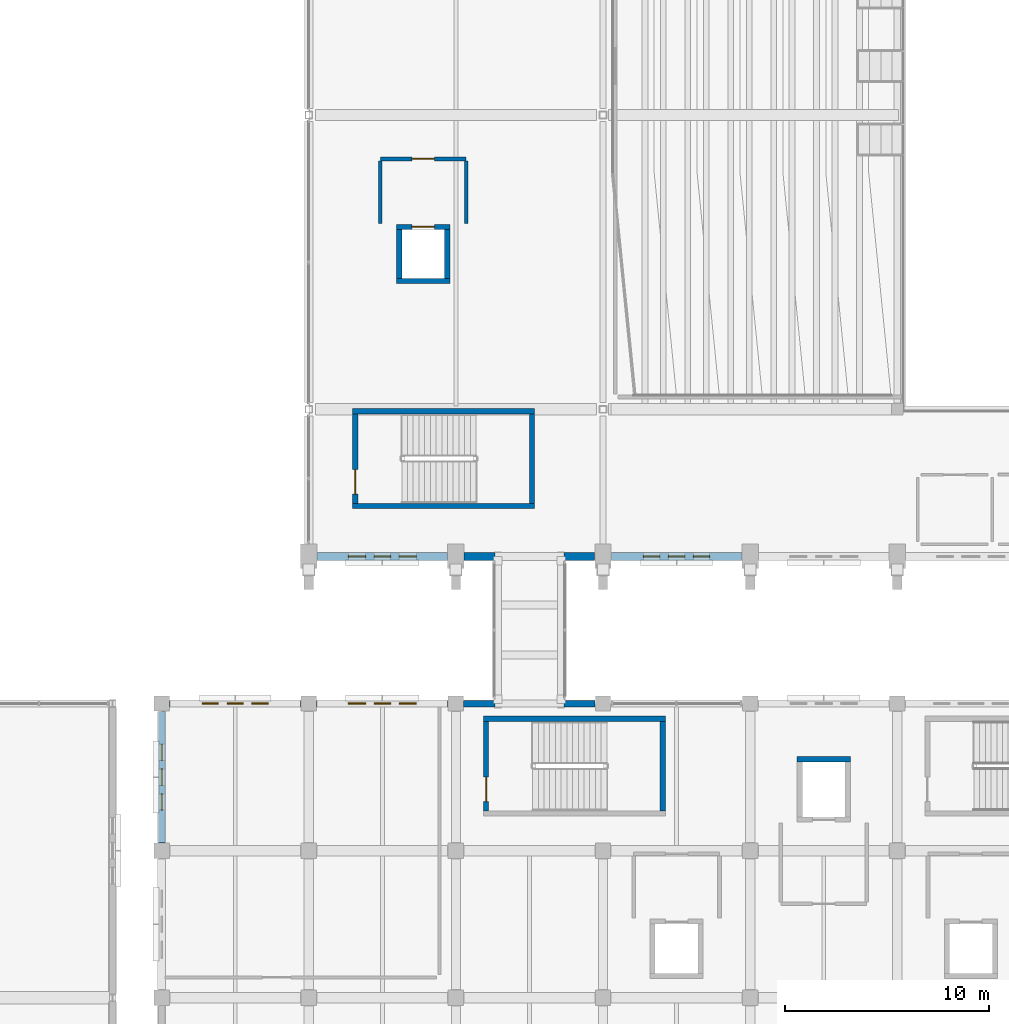
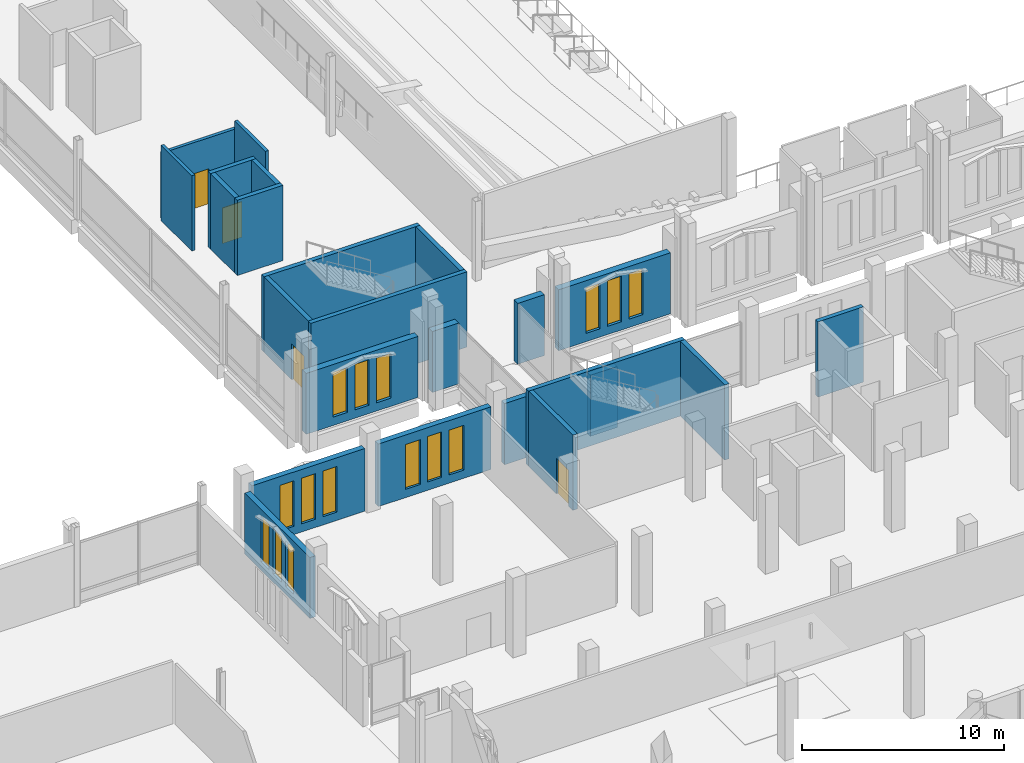
# One storey, part 142 of 193: 24 walls, 15 windows, 4 doors, 19 openings.
"""IFC4 building model written with IfcOpenShell, lengths in metres."""

from ifc_helpers import new_model, si_unit, direction, frame, frame_2d, origin, place, context, subcontext, project, spatial, rectangle, extrude, material, layer, layer_set, type_object, element, fill, save


model = new_model("IFC4")

# Units and contexts
model_context = context("Model", 3, precision=1e-05, world=origin(), true_north=direction((0.0, 1.0)))
body_context = subcontext(model_context, "Body", "Model", "MODEL_VIEW")
ifc_project = project(units=[si_unit("LENGTHUNIT", "METRE"), si_unit("AREAUNIT", "SQUARE_METRE"), si_unit("VOLUMEUNIT", "CUBIC_METRE"), si_unit("PLANEANGLEUNIT", "RADIAN"), si_unit("MASSUNIT", "GRAM", prefix="KILO")], contexts=[model_context])

# Site, building, storey
site_placement = place(None, origin())
site = spatial("IfcSite", under=ifc_project, at=site_placement, CompositionType="ELEMENT")
building_placement = place(site_placement, origin())
building = spatial("IfcBuilding", under=site, at=building_placement, Name="Cendralis Lancet Convention Centre", CompositionType="ELEMENT")
storey_placement = place(building_placement, frame((0.0, 0.0, 10.199951171875)))
storey = spatial("IfcBuildingStorey", under=building, at=storey_placement, Name="L02", CompositionType="ELEMENT", Elevation=10.199951171875)

# Wall, openings, windows
ifc_material_1 = material(Name="Buff sandstone ashlar and Concrete G40 (C40/50)", Category="masonry")
ifc_layer_1 = layer(ifc_material_1, 0.320068359375, Name="Buff sandstone ashlar and Concrete G40 (C40/50)")
ifc_layer_set_1 = layer_set([ifc_layer_1], Name="Buff sandstone ashlar and Concrete G40 (C40/50)")
wall_type_1 = type_object("IfcWallType", Name="ARC-EW-W320", PredefinedType="STANDARD", material=ifc_layer_set_1)
wall_1_placement = place(storey_placement, frame((132.383056640625, 36.0, 0.0), z_axis=(0.0, 0.0, 1.0), x_axis=(1.0, 0.0, 0.0)))
wall_1 = element("IfcWall", 1, at=wall_1_placement, inside=storey, type_object=wall_type_1, Name="L02 V5 Exterior Wall EW-06 #0283", PredefinedType="STANDARD", context=body_context, shape_type="SweptSolid", body=[
    extrude(rectangle(XDim=6.433837890625, YDim=0.320068359375, at=frame_2d((3.216796875, 0.0))), origin(), (0.0, 0.0, 1.0), 3.775146484375),
])
opening_1_placement = place(wall_1_placement, frame((1.596923828125, 0.0, 0.5)))
opening_1 = element("IfcOpeningElement", 2, at=opening_1_placement, cuts=wall_1, Name="Opening WN-07", PredefinedType="OPENING", context=body_context, shape_type="SweptSolid", body=[
    extrude(rectangle(XDim=0.800048828125, YDim=2.75, at=frame_2d((0.39990234375, 1.375))), frame((0.0, 0.169921875, 0.0), z_axis=(0.0, -1.0, 0.0), x_axis=(1.0, 0.0, 0.0)), (0.0, 0.0, 1.0), 0.340087890625),
])
opening_2_placement = place(wall_1_placement, frame((2.81689453125, 0.0, 0.5)))
opening_2 = element("IfcOpeningElement", 3, at=opening_2_placement, cuts=wall_1, Name="Opening WN-07", PredefinedType="OPENING", context=body_context, shape_type="SweptSolid", body=[
    extrude(rectangle(XDim=0.800048828125, YDim=2.75, at=frame_2d((0.39990234375, 1.375))), frame((0.0, 0.169921875, 0.0), z_axis=(0.0, -1.0, 0.0), x_axis=(1.0, 0.0, 0.0)), (0.0, 0.0, 1.0), 0.340087890625),
])
opening_3_placement = place(wall_1_placement, frame((4.037109375, 0.0, 0.5)))
opening_3 = element("IfcOpeningElement", 4, at=opening_3_placement, cuts=wall_1, Name="Opening WN-07", PredefinedType="OPENING", context=body_context, shape_type="SweptSolid", body=[
    extrude(rectangle(XDim=0.800048828125, YDim=2.75, at=frame_2d((0.39990234375, 1.375))), frame((0.0, 0.169921875, 0.0), z_axis=(0.0, -1.0, 0.0), x_axis=(1.0, 0.0, 0.0)), (0.0, 0.0, 1.0), 0.340087890625),
])
ifc_material_2 = material(Name="Double-glazed low-E solar-control glass", Category="glass")
window_type_1 = type_object("IfcWindowType", Name="ARC-WN-LW07", PartitioningType="SINGLE_PANEL", PredefinedType="WINDOW", material=ifc_material_2)
window_1_placement = place(opening_1_placement, origin())
window_1 = element("IfcWindow", 5, at=window_1_placement, inside=storey, type_object=window_type_1, Name="Gothic Lancet Window WN-07 #0544", OverallHeight=2.75, OverallWidth=0.800048828125, PartitioningType="SINGLE_PANEL", PredefinedType="WINDOW", context=body_context, shape_type="SweptSolid", body=[
    extrude(rectangle(XDim=0.800048828125, YDim=2.75, at=frame_2d((0.39990234375, 1.375))), frame((0.0, 0.030029296875, 0.0), z_axis=(0.0, -1.0, 0.0), x_axis=(1.0, 0.0, 0.0)), (0.0, 0.0, 1.0), 0.06005859375),
])
fill(opening_1, window_1)
window_2_placement = place(opening_2_placement, origin())
window_2 = element("IfcWindow", 6, at=window_2_placement, inside=storey, type_object=window_type_1, Name="Gothic Lancet Window WN-07 #0545", OverallHeight=2.75, OverallWidth=0.800048828125, PartitioningType="SINGLE_PANEL", PredefinedType="WINDOW", context=body_context, shape_type="SweptSolid", body=[
    extrude(rectangle(XDim=0.800048828125, YDim=2.75, at=frame_2d((0.39990234375, 1.375))), frame((0.0, 0.030029296875, 0.0), z_axis=(0.0, -1.0, 0.0), x_axis=(1.0, 0.0, 0.0)), (0.0, 0.0, 1.0), 0.06005859375),
])
fill(opening_2, window_2)
window_3_placement = place(opening_3_placement, origin())
window_3 = element("IfcWindow", 7, at=window_3_placement, inside=storey, type_object=window_type_1, Name="Gothic Lancet Window WN-07 #0546", OverallHeight=2.75, OverallWidth=0.800048828125, PartitioningType="SINGLE_PANEL", PredefinedType="WINDOW", context=body_context, shape_type="SweptSolid", body=[
    extrude(rectangle(XDim=0.800048828125, YDim=2.75, at=frame_2d((0.39990234375, 1.375))), frame((0.0, 0.030029296875, 0.0), z_axis=(0.0, -1.0, 0.0), x_axis=(1.0, 0.0, 0.0)), (0.0, 0.0, 1.0), 0.06005859375),
])
fill(opening_3, window_3)

wall_2_placement = place(storey_placement, frame((139.5830078125, 36.0, 0.0), z_axis=(0.0, 0.0, 1.0), x_axis=(1.0, 0.0, 0.0)))
wall_2 = element("IfcWall", 8, at=wall_2_placement, inside=storey, type_object=wall_type_1, Name="L02 V5 Exterior Wall EW-06 #0284", PredefinedType="STANDARD", context=body_context, shape_type="SweptSolid", body=[
    extrude(rectangle(XDim=6.43408203125, YDim=0.320068359375, at=frame_2d((3.217041015625, 0.0))), origin(), (0.0, 0.0, 1.0), 3.775146484375),
])
opening_4_placement = place(wall_2_placement, frame((1.556884765625, 0.0, 0.5)))
opening_4 = element("IfcOpeningElement", 9, at=opening_4_placement, cuts=wall_2, Name="Opening WN-15", PredefinedType="OPENING", context=body_context, shape_type="SweptSolid", body=[
    extrude(rectangle(XDim=0.840087890625, YDim=2.699951171875, at=frame_2d((0.419921875, 1.35009765625))), frame((0.0, 0.169921875, 0.0), z_axis=(0.0, -1.0, 0.0), x_axis=(1.0, 0.0, 0.0)), (0.0, 0.0, 1.0), 0.340087890625),
])
opening_5_placement = place(wall_2_placement, frame((2.81689453125, 0.0, 0.5)))
opening_5 = element("IfcOpeningElement", 10, at=opening_5_placement, cuts=wall_2, Name="Opening WN-07", PredefinedType="OPENING", context=body_context, shape_type="SweptSolid", body=[
    extrude(rectangle(XDim=0.800048828125, YDim=2.75, at=frame_2d((0.39990234375, 1.375))), frame((0.0, 0.169921875, 0.0), z_axis=(0.0, -1.0, 0.0), x_axis=(1.0, 0.0, 0.0)), (0.0, 0.0, 1.0), 0.340087890625),
])
opening_6_placement = place(wall_2_placement, frame((4.037109375, 0.0, 0.5)))
opening_6 = element("IfcOpeningElement", 11, at=opening_6_placement, cuts=wall_2, Name="Opening WN-15", PredefinedType="OPENING", context=body_context, shape_type="SweptSolid", body=[
    extrude(rectangle(XDim=0.840087890625, YDim=2.699951171875, at=frame_2d((0.419921875, 1.35009765625))), frame((0.0, 0.169921875, 0.0), z_axis=(0.0, -1.0, 0.0), x_axis=(1.0, 0.0, 0.0)), (0.0, 0.0, 1.0), 0.340087890625),
])
window_4_placement = place(opening_5_placement, origin())
window_4 = element("IfcWindow", 12, at=window_4_placement, inside=storey, type_object=window_type_1, Name="Gothic Lancet Window WN-07 #0548", OverallHeight=2.75, OverallWidth=0.800048828125, PartitioningType="SINGLE_PANEL", PredefinedType="WINDOW", context=body_context, shape_type="SweptSolid", body=[
    extrude(rectangle(XDim=0.800048828125, YDim=2.75, at=frame_2d((0.39990234375, 1.375))), frame((0.0, 0.030029296875, 0.0), z_axis=(0.0, -1.0, 0.0), x_axis=(1.0, 0.0, 0.0)), (0.0, 0.0, 1.0), 0.06005859375),
])
fill(opening_5, window_4)
window_type_2 = type_object("IfcWindowType", Name="ARC-WN-LW15", PartitioningType="SINGLE_PANEL", PredefinedType="WINDOW", material=ifc_material_2)
window_5_placement = place(opening_4_placement, origin())
window_5 = element("IfcWindow", 13, at=window_5_placement, inside=storey, type_object=window_type_2, Name="Gothic Lancet Window WN-15 #0547", OverallHeight=2.699951171875, OverallWidth=0.840087890625, PartitioningType="SINGLE_PANEL", PredefinedType="WINDOW", context=body_context, shape_type="SweptSolid", body=[
    extrude(rectangle(XDim=0.840087890625, YDim=2.699951171875, at=frame_2d((0.419921875, 1.35009765625))), frame((0.0, 0.030029296875, 0.0), z_axis=(0.0, -1.0, 0.0), x_axis=(1.0, 0.0, 0.0)), (0.0, 0.0, 1.0), 0.06005859375),
])
fill(opening_4, window_5)
window_6_placement = place(opening_6_placement, origin())
window_6 = element("IfcWindow", 14, at=window_6_placement, inside=storey, type_object=window_type_2, Name="Gothic Lancet Window WN-15 #0549", OverallHeight=2.699951171875, OverallWidth=0.840087890625, PartitioningType="SINGLE_PANEL", PredefinedType="WINDOW", context=body_context, shape_type="SweptSolid", body=[
    extrude(rectangle(XDim=0.840087890625, YDim=2.699951171875, at=frame_2d((0.419921875, 1.35009765625))), frame((0.0, 0.030029296875, 0.0), z_axis=(0.0, -1.0, 0.0), x_axis=(1.0, 0.0, 0.0)), (0.0, 0.0, 1.0), 0.06005859375),
])
fill(opening_6, window_6)

# Walls
for number, where, z_axis, x_axis, name in (
    (15, (146.782958984375, 36.0, 0.0), (0.0, 0.0, 1.0), (1.0, 0.0, 0.0), "L02 V5 Exterior Wall EW-06 #0285"),
    (16, (151.679931640625, 36.0, 0.0), (0.0, 0.0, 1.0), (1.0, 0.0, 0.0), "L02 V5 Exterior Wall EW-06 #0286"),
):
    element("IfcWall", number, at=place(storey_placement, frame(where, z_axis=z_axis, x_axis=x_axis)), inside=storey, type_object=wall_type_1, Name=name, PredefinedType="STANDARD", context=body_context, shape_type="SweptSolid", body=[
        extrude(rectangle(XDim=1.537109375, YDim=0.320068359375, at=frame_2d((0.7685546875, 0.0))), origin(), (0.0, 0.0, 1.0), 3.68505859375),
    ])

# Wall, openings, windows
wall_3_placement = place(storey_placement, frame((132.0, 29.18310546875, 0.0), z_axis=(0.0, 0.0, 1.0), x_axis=(0.0, 1.0, 0.0)))
wall_3 = element("IfcWall", 17, at=wall_3_placement, inside=storey, type_object=wall_type_1, Name="L02 V5 Exterior Wall EW-06 #0301", PredefinedType="STANDARD", context=body_context, shape_type="SweptSolid", body=[
    extrude(rectangle(XDim=6.433837890625, YDim=0.320068359375, at=frame_2d((3.216796875, 0.0))), origin(), (0.0, 0.0, 1.0), 3.675048828125),
])
opening_7_placement = place(wall_3_placement, frame((1.596923828125, 0.0, 0.5)))
opening_7 = element("IfcOpeningElement", 18, at=opening_7_placement, cuts=wall_3, Name="Opening WN-07", PredefinedType="OPENING", context=body_context, shape_type="SweptSolid", body=[
    extrude(rectangle(XDim=0.800048828125, YDim=2.75, at=frame_2d((0.39990234375, 1.375))), frame((0.0, 0.169921875, 0.0), z_axis=(0.0, -1.0, 0.0), x_axis=(1.0, 0.0, 0.0)), (0.0, 0.0, 1.0), 0.340087890625),
])
opening_8_placement = place(wall_3_placement, frame((2.81689453125, 0.0, 0.5)))
opening_8 = element("IfcOpeningElement", 19, at=opening_8_placement, cuts=wall_3, Name="Opening WN-07", PredefinedType="OPENING", context=body_context, shape_type="SweptSolid", body=[
    extrude(rectangle(XDim=0.800048828125, YDim=2.75, at=frame_2d((0.39990234375, 1.375))), frame((0.0, 0.169921875, 0.0), z_axis=(0.0, -1.0, 0.0), x_axis=(1.0, 0.0, 0.0)), (0.0, 0.0, 1.0), 0.340087890625),
])
opening_9_placement = place(wall_3_placement, frame((4.037109375, 0.0, 0.5)))
opening_9 = element("IfcOpeningElement", 20, at=opening_9_placement, cuts=wall_3, Name="Opening WN-07", PredefinedType="OPENING", context=body_context, shape_type="SweptSolid", body=[
    extrude(rectangle(XDim=0.800048828125, YDim=2.75, at=frame_2d((0.39990234375, 1.375))), frame((0.0, 0.169921875, 0.0), z_axis=(0.0, -1.0, 0.0), x_axis=(1.0, 0.0, 0.0)), (0.0, 0.0, 1.0), 0.340087890625),
])
window_7_placement = place(opening_7_placement, origin())
window_7 = element("IfcWindow", 21, at=window_7_placement, inside=storey, type_object=window_type_1, Name="Gothic Lancet Window WN-07 #0583", OverallHeight=2.75, OverallWidth=0.800048828125, PartitioningType="SINGLE_PANEL", PredefinedType="WINDOW", context=body_context, shape_type="SweptSolid", body=[
    extrude(rectangle(XDim=0.800048828125, YDim=2.75, at=frame_2d((0.39990234375, 1.375))), frame((0.0, 0.030029296875, 0.0), z_axis=(0.0, -1.0, 0.0), x_axis=(1.0, 0.0, 0.0)), (0.0, 0.0, 1.0), 0.06005859375),
])
fill(opening_7, window_7)
window_8_placement = place(opening_8_placement, origin())
window_8 = element("IfcWindow", 22, at=window_8_placement, inside=storey, type_object=window_type_1, Name="Gothic Lancet Window WN-07 #0584", OverallHeight=2.75, OverallWidth=0.800048828125, PartitioningType="SINGLE_PANEL", PredefinedType="WINDOW", context=body_context, shape_type="SweptSolid", body=[
    extrude(rectangle(XDim=0.800048828125, YDim=2.75, at=frame_2d((0.39990234375, 1.375))), frame((0.0, 0.030029296875, 0.0), z_axis=(0.0, -1.0, 0.0), x_axis=(1.0, 0.0, 0.0)), (0.0, 0.0, 1.0), 0.06005859375),
])
fill(opening_8, window_8)
window_9_placement = place(opening_9_placement, origin())
window_9 = element("IfcWindow", 23, at=window_9_placement, inside=storey, type_object=window_type_1, Name="Gothic Lancet Window WN-07 #0585", OverallHeight=2.75, OverallWidth=0.800048828125, PartitioningType="SINGLE_PANEL", PredefinedType="WINDOW", context=body_context, shape_type="SweptSolid", body=[
    extrude(rectangle(XDim=0.800048828125, YDim=2.75, at=frame_2d((0.39990234375, 1.375))), frame((0.0, 0.030029296875, 0.0), z_axis=(0.0, -1.0, 0.0), x_axis=(1.0, 0.0, 0.0)), (0.0, 0.0, 1.0), 0.06005859375),
])
fill(opening_9, window_9)

ifc_layer_2 = layer(ifc_material_1, 0.3798828125, Name="Buff sandstone ashlar and Concrete G40 (C40/50)")
ifc_layer_set_2 = layer_set([ifc_layer_2], Name="Buff sandstone ashlar and Concrete G40 (C40/50)")
wall_type_2 = type_object("IfcWallType", Name="ARC-EW-W380", PredefinedType="STANDARD", material=ifc_layer_set_2)
wall_4_placement = place(storey_placement, frame((145.991943359375, 43.199951171875, 0.0), z_axis=(0.0, 0.0, 1.0), x_axis=(-1.0, 0.0, 0.0)))
wall_4 = element("IfcWall", 24, at=wall_4_placement, inside=storey, type_object=wall_type_2, Name="L02 V2 Exterior Wall EW-03 #0108", PredefinedType="STANDARD", context=body_context, shape_type="SweptSolid", body=[
    extrude(rectangle(XDim=6.384033203125, YDim=0.3798828125, at=frame_2d((3.19189453125, 0.0))), origin(), (0.0, 0.0, 1.0), 3.675048828125),
])
opening_10_placement = place(wall_4_placement, frame((1.531982421875, 0.0, 0.5)))
opening_10 = element("IfcOpeningElement", 25, at=opening_10_placement, cuts=wall_4, Name="Opening WN-15", PredefinedType="OPENING", context=body_context, shape_type="SweptSolid", body=[
    extrude(rectangle(XDim=0.840087890625, YDim=2.699951171875, at=frame_2d((0.419921875, 1.35009765625))), frame((0.0, 0.199951171875, 0.0), z_axis=(0.0, -1.0, 0.0), x_axis=(1.0, 0.0, 0.0)), (0.0, 0.0, 1.0), 0.39990234375),
])
opening_11_placement = place(wall_4_placement, frame((2.7919921875, 0.0, 0.5)))
opening_11 = element("IfcOpeningElement", 26, at=opening_11_placement, cuts=wall_4, Name="Opening WN-07", PredefinedType="OPENING", context=body_context, shape_type="SweptSolid", body=[
    extrude(rectangle(XDim=0.800048828125, YDim=2.75, at=frame_2d((0.39990234375, 1.375))), frame((0.0, 0.199951171875, 0.0), z_axis=(0.0, -1.0, 0.0), x_axis=(1.0, 0.0, 0.0)), (0.0, 0.0, 1.0), 0.39990234375),
])
opening_12_placement = place(wall_4_placement, frame((4.011962890625, 0.0, 0.5)))
opening_12 = element("IfcOpeningElement", 27, at=opening_12_placement, cuts=wall_4, Name="Opening WN-15", PredefinedType="OPENING", context=body_context, shape_type="SweptSolid", body=[
    extrude(rectangle(XDim=0.840087890625, YDim=2.699951171875, at=frame_2d((0.419921875, 1.35009765625))), frame((0.0, 0.199951171875, 0.0), z_axis=(0.0, -1.0, 0.0), x_axis=(1.0, 0.0, 0.0)), (0.0, 0.0, 1.0), 0.39990234375),
])
window_10_placement = place(opening_11_placement, origin())
window_10 = element("IfcWindow", 28, at=window_10_placement, inside=storey, type_object=window_type_1, Name="Gothic Lancet Window WN-07 #0202", OverallHeight=2.75, OverallWidth=0.800048828125, PartitioningType="SINGLE_PANEL", PredefinedType="WINDOW", context=body_context, shape_type="SweptSolid", body=[
    extrude(rectangle(XDim=0.800048828125, YDim=2.75, at=frame_2d((0.39990234375, 1.375))), frame((0.0, 0.030029296875, 0.0), z_axis=(0.0, -1.0, 0.0), x_axis=(1.0, 0.0, 0.0)), (0.0, 0.0, 1.0), 0.06005859375),
])
fill(opening_11, window_10)
window_11_placement = place(opening_10_placement, origin())
window_11 = element("IfcWindow", 29, at=window_11_placement, inside=storey, type_object=window_type_2, Name="Gothic Lancet Window WN-15 #0201", OverallHeight=2.699951171875, OverallWidth=0.840087890625, PartitioningType="SINGLE_PANEL", PredefinedType="WINDOW", context=body_context, shape_type="SweptSolid", body=[
    extrude(rectangle(XDim=0.840087890625, YDim=2.699951171875, at=frame_2d((0.419921875, 1.35009765625))), frame((0.0, 0.030029296875, 0.0), z_axis=(0.0, -1.0, 0.0), x_axis=(1.0, 0.0, 0.0)), (0.0, 0.0, 1.0), 0.06005859375),
])
fill(opening_10, window_11)
window_12_placement = place(opening_12_placement, origin())
window_12 = element("IfcWindow", 30, at=window_12_placement, inside=storey, type_object=window_type_2, Name="Gothic Lancet Window WN-15 #0203", OverallHeight=2.699951171875, OverallWidth=0.840087890625, PartitioningType="SINGLE_PANEL", PredefinedType="WINDOW", context=body_context, shape_type="SweptSolid", body=[
    extrude(rectangle(XDim=0.840087890625, YDim=2.699951171875, at=frame_2d((0.419921875, 1.35009765625))), frame((0.0, 0.030029296875, 0.0), z_axis=(0.0, -1.0, 0.0), x_axis=(1.0, 0.0, 0.0)), (0.0, 0.0, 1.0), 0.06005859375),
])
fill(opening_12, window_12)

# Walls
for number, where, z_axis, x_axis, name in (
    (31, (153.19189453125, 43.199951171875, 0.0), (0.0, 0.0, 1.0), (-1.0, 0.0, 0.0), "L02 V2 Exterior Wall EW-03 #0109"),
    (32, (148.320068359375, 43.199951171875, 0.0), (0.0, 0.0, 1.0), (-1.0, 0.0, 0.0), "L02 V2 Exterior Wall EW-03 #0110"),
):
    element("IfcWall", number, at=place(storey_placement, frame(where, z_axis=z_axis, x_axis=x_axis)), inside=storey, type_object=wall_type_2, Name=name, PredefinedType="STANDARD", context=body_context, shape_type="SweptSolid", body=[
        extrude(rectangle(XDim=1.511962890625, YDim=0.3798828125, at=frame_2d((0.755859375, 0.0))), origin(), (0.0, 0.0, 1.0), 3.675048828125),
    ])

# Wall, openings, windows
wall_5_placement = place(storey_placement, frame((160.39208984375, 43.199951171875, 0.0), z_axis=(0.0, 0.0, 1.0), x_axis=(-1.0, 0.0, 0.0)))
wall_5 = element("IfcWall", 33, at=wall_5_placement, inside=storey, type_object=wall_type_2, Name="L02 V2 Exterior Wall EW-03 #0111", PredefinedType="STANDARD", context=body_context, shape_type="SweptSolid", body=[
    extrude(rectangle(XDim=6.384033203125, YDim=0.3798828125, at=frame_2d((3.19189453125, 0.0))), origin(), (0.0, 0.0, 1.0), 3.675048828125),
])
opening_13_placement = place(wall_5_placement, frame((1.572021484375, 0.0, 0.5)))
opening_13 = element("IfcOpeningElement", 34, at=opening_13_placement, cuts=wall_5, Name="Opening WN-07", PredefinedType="OPENING", context=body_context, shape_type="SweptSolid", body=[
    extrude(rectangle(XDim=0.800048828125, YDim=2.75, at=frame_2d((0.39990234375, 1.375))), frame((0.0, 0.199951171875, 0.0), z_axis=(0.0, -1.0, 0.0), x_axis=(1.0, 0.0, 0.0)), (0.0, 0.0, 1.0), 0.39990234375),
])
opening_14_placement = place(wall_5_placement, frame((2.7919921875, 0.0, 0.5)))
opening_14 = element("IfcOpeningElement", 35, at=opening_14_placement, cuts=wall_5, Name="Opening WN-07", PredefinedType="OPENING", context=body_context, shape_type="SweptSolid", body=[
    extrude(rectangle(XDim=0.800048828125, YDim=2.75, at=frame_2d((0.39990234375, 1.375))), frame((0.0, 0.199951171875, 0.0), z_axis=(0.0, -1.0, 0.0), x_axis=(1.0, 0.0, 0.0)), (0.0, 0.0, 1.0), 0.39990234375),
])
opening_15_placement = place(wall_5_placement, frame((4.011962890625, 0.0, 0.5)))
opening_15 = element("IfcOpeningElement", 36, at=opening_15_placement, cuts=wall_5, Name="Opening WN-07", PredefinedType="OPENING", context=body_context, shape_type="SweptSolid", body=[
    extrude(rectangle(XDim=0.800048828125, YDim=2.75, at=frame_2d((0.39990234375, 1.375))), frame((0.0, 0.199951171875, 0.0), z_axis=(0.0, -1.0, 0.0), x_axis=(1.0, 0.0, 0.0)), (0.0, 0.0, 1.0), 0.39990234375),
])
window_13_placement = place(opening_13_placement, origin())
window_13 = element("IfcWindow", 37, at=window_13_placement, inside=storey, type_object=window_type_1, Name="Gothic Lancet Window WN-07 #0204", OverallHeight=2.75, OverallWidth=0.800048828125, PartitioningType="SINGLE_PANEL", PredefinedType="WINDOW", context=body_context, shape_type="SweptSolid", body=[
    extrude(rectangle(XDim=0.800048828125, YDim=2.75, at=frame_2d((0.39990234375, 1.375))), frame((0.0, 0.030029296875, 0.0), z_axis=(0.0, -1.0, 0.0), x_axis=(1.0, 0.0, 0.0)), (0.0, 0.0, 1.0), 0.06005859375),
])
fill(opening_13, window_13)
window_14_placement = place(opening_14_placement, origin())
window_14 = element("IfcWindow", 38, at=window_14_placement, inside=storey, type_object=window_type_1, Name="Gothic Lancet Window WN-07 #0205", OverallHeight=2.75, OverallWidth=0.800048828125, PartitioningType="SINGLE_PANEL", PredefinedType="WINDOW", context=body_context, shape_type="SweptSolid", body=[
    extrude(rectangle(XDim=0.800048828125, YDim=2.75, at=frame_2d((0.39990234375, 1.375))), frame((0.0, 0.030029296875, 0.0), z_axis=(0.0, -1.0, 0.0), x_axis=(1.0, 0.0, 0.0)), (0.0, 0.0, 1.0), 0.06005859375),
])
fill(opening_14, window_14)
window_15_placement = place(opening_15_placement, origin())
window_15 = element("IfcWindow", 39, at=window_15_placement, inside=storey, type_object=window_type_1, Name="Gothic Lancet Window WN-07 #0206", OverallHeight=2.75, OverallWidth=0.800048828125, PartitioningType="SINGLE_PANEL", PredefinedType="WINDOW", context=body_context, shape_type="SweptSolid", body=[
    extrude(rectangle(XDim=0.800048828125, YDim=2.75, at=frame_2d((0.39990234375, 1.375))), frame((0.0, 0.030029296875, 0.0), z_axis=(0.0, -1.0, 0.0), x_axis=(1.0, 0.0, 0.0)), (0.0, 0.0, 1.0), 0.06005859375),
])
fill(opening_15, window_15)

# Wall, opening, door
ifc_material_3 = material(Name="Acoustic fire-rated gypsum board on steel studs", Category="steel")
ifc_layer_3 = layer(ifc_material_3, 0.179931640625, Name="Acoustic fire-rated gypsum board on steel studs")
ifc_layer_set_3 = layer_set([ifc_layer_3], Name="Acoustic fire-rated gypsum board on steel studs")
wall_type_3 = type_object("IfcWallType", Name="ARC-IW-P180", PredefinedType="PARTITIONING", material=ifc_layer_set_3)
wall_6_placement = place(storey_placement, frame((142.699951171875, 62.64990234375, 0.0), z_axis=(0.0, 0.0, 1.0), x_axis=(1.0, 0.0, 0.0)))
wall_6 = element("IfcWall", 40, at=wall_6_placement, inside=storey, type_object=wall_type_3, Name="L02 Lift Lobby LP-05 Front Wall", PredefinedType="PARTITIONING", context=body_context, shape_type="SweptSolid", body=[
    extrude(rectangle(XDim=4.199951171875, YDim=0.179931640625, at=frame_2d((2.10009765625, 0.0))), origin(), (0.0, 0.0, 1.0), 4.025146484375),
])
opening_16_placement = place(wall_6_placement, frame((1.550048828125, 0.0, 0.0)))
opening_16 = element("IfcOpeningElement", 41, at=opening_16_placement, cuts=wall_6, Name="Opening FD-11", PredefinedType="OPENING", context=body_context, shape_type="SweptSolid", body=[
    extrude(rectangle(XDim=1.10009765625, YDim=2.14990234375, at=frame_2d((0.550048828125, 1.074951171875))), frame((0.0, 0.099853515625, 0.0), z_axis=(0.0, -1.0, 0.0), x_axis=(1.0, 0.0, 0.0)), (0.0, 0.0, 1.0), 0.199951171875),
])
ifc_material_4 = material(Name="Steel S355", Category="steel")
door_type_1 = type_object("IfcDoorType", Name="ARC-DR-FF11", OperationType="NOTDEFINED", PredefinedType="DOOR", material=ifc_material_4)
door_1_placement = place(opening_16_placement, origin())
door_1 = element("IfcDoor", 42, at=door_1_placement, inside=storey, type_object=door_type_1, Name="L02-D049 L02 Lift Lobby LP-05 Fire Door", OperationType="SINGLE_SWING_RIGHT", OverallHeight=2.14990234375, OverallWidth=1.10009765625, PredefinedType="DOOR", context=body_context, shape_type="SweptSolid", body=[
    extrude(rectangle(XDim=1.10009765625, YDim=2.14990234375, at=frame_2d((0.550048828125, 1.074951171875))), frame((0.0, 0.02490234375, 0.0), z_axis=(0.0, -1.0, 0.0), x_axis=(1.0, 0.0, 0.0)), (0.0, 0.0, 1.0), 0.050048828125),
])
fill(opening_16, door_1)

# Walls
for number, where, z_axis, x_axis, name in (
    (43, (142.699951171875, 59.5, 0.0), (0.0, 0.0, 1.0), (0.0, 1.0, 0.0), "L02 Lift Lobby LP-05 West Wall"),
    (44, (146.89990234375, 59.5, 0.0), (0.0, 0.0, 1.0), (0.0, 1.0, 0.0), "L02 Lift Lobby LP-05 East Wall"),
):
    element("IfcWall", number, at=place(storey_placement, frame(where, z_axis=z_axis, x_axis=x_axis)), inside=storey, type_object=wall_type_3, Name=name, PredefinedType="PARTITIONING", context=body_context, shape_type="SweptSolid", body=[
        extrude(rectangle(XDim=3.050048828125, YDim=0.179931640625, at=frame_2d((1.52490234375, 0.0))), origin(), (0.0, 0.0, 1.0), 4.5400390625),
    ])

# Wall, opening, door
ifc_material_5 = material(Name="Concrete G40 (C40/50)", Category="concrete")
ifc_layer_4 = layer(ifc_material_5, 0.25, Name="Concrete G40 (C40/50)")
ifc_layer_set_4 = layer_set([ifc_layer_4], Name="Concrete G40 (C40/50)")
wall_type_4 = type_object("IfcWallType", Name="STR-SW-CW250", PredefinedType="SHEAR", material=ifc_layer_set_4)
wall_7_placement = place(storey_placement, frame((141.47509765625, 45.800048828125, 0.0), z_axis=(0.0, 0.0, 1.0), x_axis=(0.0, 1.0, 0.0)))
wall_7 = element("IfcWall", 45, at=wall_7_placement, inside=storey, type_object=wall_type_4, Name="L02 Stair Core ST-08 West Shear Wall", PredefinedType="SHEAR", context=body_context, shape_type="SweptSolid", body=[
    extrude(rectangle(XDim=4.3798828125, YDim=0.25, at=frame_2d((2.18994140625, 0.0))), origin(), (0.0, 0.0, 1.0), 4.5400390625),
])
opening_17_placement = place(wall_7_placement, frame((0.449951171875, 0.0, 0.0)))
opening_17 = element("IfcOpeningElement", 46, at=opening_17_placement, cuts=wall_7, Name="Opening SD-12", PredefinedType="OPENING", context=body_context, shape_type="SweptSolid", body=[
    extrude(rectangle(XDim=1.199951171875, YDim=2.14990234375, at=frame_2d((0.60009765625, 1.074951171875))), frame((0.0, 0.135009765625, 0.0), z_axis=(0.0, -1.0, 0.0), x_axis=(1.0, 0.0, 0.0)), (0.0, 0.0, 1.0), 0.27001953125),
])
door_type_2 = type_object("IfcDoorType", Name="ARC-DR-ST12", OperationType="NOTDEFINED", PredefinedType="DOOR", material=ifc_material_4)
door_2_placement = place(opening_17_placement, frame((1.199951171875, 0.0, 0.0), z_axis=(0.0, 0.0, 1.0), x_axis=(-1.0, 0.0, 0.0)))
door_2 = element("IfcDoor", 47, at=door_2_placement, inside=storey, type_object=door_type_2, Name="L02-D055 L02 Exit Stair ST-08 Fire Door", OperationType="SINGLE_SWING_LEFT", OverallHeight=2.14990234375, OverallWidth=1.199951171875, PredefinedType="DOOR", context=body_context, shape_type="SweptSolid", body=[
    extrude(rectangle(XDim=1.199951171875, YDim=2.14990234375, at=frame_2d((0.60009765625, 1.074951171875))), frame((0.0, 0.02490234375, 0.0), z_axis=(0.0, -1.0, 0.0), x_axis=(1.0, 0.0, 0.0)), (0.0, 0.0, 1.0), 0.050048828125),
])
fill(opening_17, door_2)

# Walls
wall_8_placement = place(storey_placement, frame((150.125, 45.800048828125, 0.0), z_axis=(0.0, 0.0, 1.0), x_axis=(0.0, 1.0, 0.0)))
element("IfcWall", 48, at=wall_8_placement, inside=storey, type_object=wall_type_4, Name="L02 Stair Core ST-08 East Shear Wall", PredefinedType="SHEAR", context=body_context, shape_type="SweptSolid", body=[
    extrude(rectangle(XDim=4.3798828125, YDim=0.25, at=frame_2d((2.18994140625, 0.0))), origin(), (0.0, 0.0, 1.0), 4.5400390625),
])
for number, where, z_axis, x_axis, name in (
    (49, (141.35009765625, 45.675048828125, 0.0), (0.0, 0.0, 1.0), (1.0, 0.0, 0.0), "L02 Stair Core ST-08 South Shear Wall"),
    (50, (141.35009765625, 50.304931640625, 0.0), (0.0, 0.0, 1.0), (1.0, 0.0, 0.0), "L02 Stair Core ST-08 North Shear Wall"),
):
    element("IfcWall", number, at=place(storey_placement, frame(where, z_axis=z_axis, x_axis=x_axis)), inside=storey, type_object=wall_type_4, Name=name, PredefinedType="SHEAR", context=body_context, shape_type="SweptSolid", body=[
        extrude(rectangle(XDim=8.89990234375, YDim=0.25, at=frame_2d((4.449951171875, 0.0))), origin(), (0.0, 0.0, 1.0), 4.5400390625),
    ])

# Wall, opening, door
wall_9_placement = place(storey_placement, frame((147.875, 30.75, 0.0), z_axis=(0.0, 0.0, 1.0), x_axis=(0.0, 1.0, 0.0)))
wall_9 = element("IfcWall", 51, at=wall_9_placement, inside=storey, type_object=wall_type_4, Name="L02 Stair Core ST-13 West Shear Wall", PredefinedType="SHEAR", context=body_context, shape_type="SweptSolid", body=[
    extrude(rectangle(XDim=4.3798828125, YDim=0.25, at=frame_2d((2.18994140625, 0.0))), origin(), (0.0, 0.0, 1.0), 4.5400390625),
])
opening_18_placement = place(wall_9_placement, frame((0.449951171875, 0.0, 0.0)))
opening_18 = element("IfcOpeningElement", 52, at=opening_18_placement, cuts=wall_9, Name="Opening SD-12", PredefinedType="OPENING", context=body_context, shape_type="SweptSolid", body=[
    extrude(rectangle(XDim=1.199951171875, YDim=2.14990234375, at=frame_2d((0.60009765625, 1.074951171875))), frame((0.0, 0.135009765625, 0.0), z_axis=(0.0, -1.0, 0.0), x_axis=(1.0, 0.0, 0.0)), (0.0, 0.0, 1.0), 0.27001953125),
])
door_3_placement = place(opening_18_placement, frame((1.199951171875, 0.0, 0.0), z_axis=(0.0, 0.0, 1.0), x_axis=(-1.0, 0.0, 0.0)))
door_3 = element("IfcDoor", 53, at=door_3_placement, inside=storey, type_object=door_type_2, Name="L02-D060 L02 Exit Stair ST-13 Fire Door", OperationType="SINGLE_SWING_LEFT", OverallHeight=2.14990234375, OverallWidth=1.199951171875, PredefinedType="DOOR", context=body_context, shape_type="SweptSolid", body=[
    extrude(rectangle(XDim=1.199951171875, YDim=2.14990234375, at=frame_2d((0.60009765625, 1.074951171875))), frame((0.0, 0.02490234375, 0.0), z_axis=(0.0, -1.0, 0.0), x_axis=(1.0, 0.0, 0.0)), (0.0, 0.0, 1.0), 0.050048828125),
])
fill(opening_18, door_3)

# Walls
wall_10_placement = place(storey_placement, frame((156.52490234375, 30.75, 0.0), z_axis=(0.0, 0.0, 1.0), x_axis=(0.0, 1.0, 0.0)))
element("IfcWall", 54, at=wall_10_placement, inside=storey, type_object=wall_type_4, Name="L02 Stair Core ST-13 East Shear Wall", PredefinedType="SHEAR", context=body_context, shape_type="SweptSolid", body=[
    extrude(rectangle(XDim=4.3798828125, YDim=0.25, at=frame_2d((2.18994140625, 0.0))), origin(), (0.0, 0.0, 1.0), 4.5400390625),
])
wall_11_placement = place(storey_placement, frame((147.75, 35.2548828125, 0.0), z_axis=(0.0, 0.0, 1.0), x_axis=(1.0, 0.0, 0.0)))
element("IfcWall", 55, at=wall_11_placement, inside=storey, type_object=wall_type_4, Name="L02 Stair Core ST-13 North Shear Wall", PredefinedType="SHEAR", context=body_context, shape_type="SweptSolid", body=[
    extrude(rectangle(XDim=8.89990234375, YDim=0.25, at=frame_2d((4.449951171875, 0.0))), origin(), (0.0, 0.0, 1.0), 4.5400390625),
])
wall_12_placement = place(storey_placement, frame((163.10009765625, 33.27490234375, 0.0), z_axis=(0.0, 0.0, 1.0), x_axis=(1.0, 0.0, 0.0)))
element("IfcWall", 56, at=wall_12_placement, inside=storey, type_object=wall_type_4, Name="L02 Lift LF-01 North Shaft Wall", PredefinedType="SHEAR", context=body_context, shape_type="SweptSolid", body=[
    extrude(rectangle(XDim=2.599853515625, YDim=0.25, at=frame_2d((1.2998046875, 0.0))), origin(), (0.0, 0.0, 1.0), 4.5400390625),
])
wall_13_placement = place(storey_placement, frame((143.5, 56.675048828125, 0.0), z_axis=(0.0, 0.0, 1.0), x_axis=(1.0, 0.0, 0.0)))
element("IfcWall", 57, at=wall_13_placement, inside=storey, type_object=wall_type_4, Name="L02 Lift LP-05 South Shaft Wall", PredefinedType="SHEAR", context=body_context, shape_type="SweptSolid", body=[
    extrude(rectangle(XDim=2.60009765625, YDim=0.25, at=frame_2d((1.300048828125, 0.0))), origin(), (0.0, 0.0, 1.0), 4.5400390625),
])

# Wall, opening, door
wall_14_placement = place(storey_placement, frame((143.5, 59.324951171875, 0.0), z_axis=(0.0, 0.0, 1.0), x_axis=(1.0, 0.0, 0.0)))
wall_14 = element("IfcWall", 58, at=wall_14_placement, inside=storey, type_object=wall_type_4, Name="L02 Lift LP-05 North Shaft Wall", PredefinedType="SHEAR", context=body_context, shape_type="SweptSolid", body=[
    extrude(rectangle(XDim=2.60009765625, YDim=0.25, at=frame_2d((1.300048828125, 0.0))), origin(), (0.0, 0.0, 1.0), 4.5400390625),
])
opening_19_placement = place(wall_14_placement, frame((0.75, 0.0, 0.0)))
opening_19 = element("IfcOpeningElement", 59, at=opening_19_placement, cuts=wall_14, Name="Opening LD-11", PredefinedType="OPENING", context=body_context, shape_type="SweptSolid", body=[
    extrude(rectangle(XDim=1.10009765625, YDim=2.14990234375, at=frame_2d((0.550048828125, 1.074951171875))), frame((0.0, 0.135009765625, 0.0), z_axis=(0.0, -1.0, 0.0), x_axis=(1.0, 0.0, 0.0)), (0.0, 0.0, 1.0), 0.27001953125),
])
ifc_material_6 = material(Name="Anodised bronze architectural aluminium", Category="aluminium")
door_type_3 = type_object("IfcDoorType", Name="ARC-DR-LD11", OperationType="NOTDEFINED", PredefinedType="DOOR", material=ifc_material_6)
door_4_placement = place(opening_19_placement, origin())
door_4 = element("IfcDoor", 60, at=door_4_placement, inside=storey, type_object=door_type_3, Name="L02-D037 L02 Lift LP-05 Sliding Landing Door", OperationType="SLIDING_TO_RIGHT", OverallHeight=2.14990234375, OverallWidth=1.10009765625, PredefinedType="DOOR", context=body_context, shape_type="SweptSolid", body=[
    extrude(rectangle(XDim=1.10009765625, YDim=2.14990234375, at=frame_2d((0.550048828125, 1.074951171875))), frame((0.0, 0.02490234375, 0.0), z_axis=(0.0, -1.0, 0.0), x_axis=(1.0, 0.0, 0.0)), (0.0, 0.0, 1.0), 0.050048828125),
])
fill(opening_19, door_4)

# Walls
for number, where, z_axis, x_axis, name in (
    (61, (143.625, 56.800048828125, 0.0), (0.0, 0.0, 1.0), (0.0, 1.0, 0.0), "L02 Lift LP-05 West Shaft Wall"),
    (62, (145.97509765625, 56.800048828125, 0.0), (0.0, 0.0, 1.0), (0.0, 1.0, 0.0), "L02 Lift LP-05 East Shaft Wall"),
):
    element("IfcWall", number, at=place(storey_placement, frame(where, z_axis=z_axis, x_axis=x_axis)), inside=storey, type_object=wall_type_4, Name=name, PredefinedType="SHEAR", context=body_context, shape_type="SweptSolid", body=[
        extrude(rectangle(XDim=2.39990234375, YDim=0.25, at=frame_2d((1.199951171875, 0.0))), origin(), (0.0, 0.0, 1.0), 4.5400390625),
    ])

save(model, "model.ifc")
